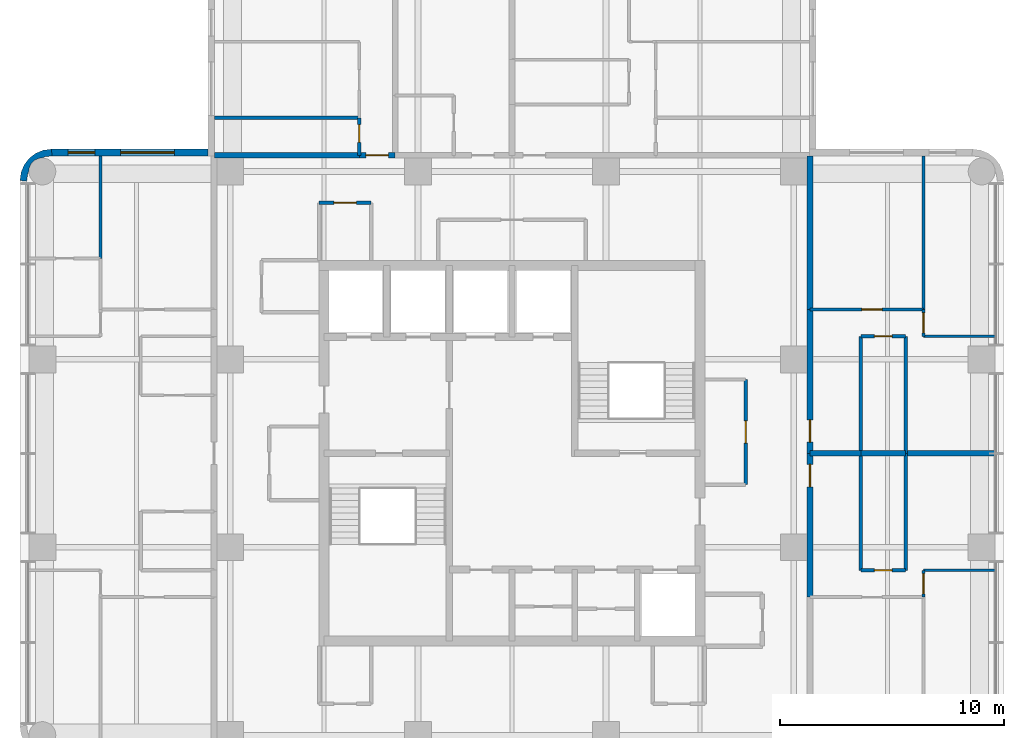
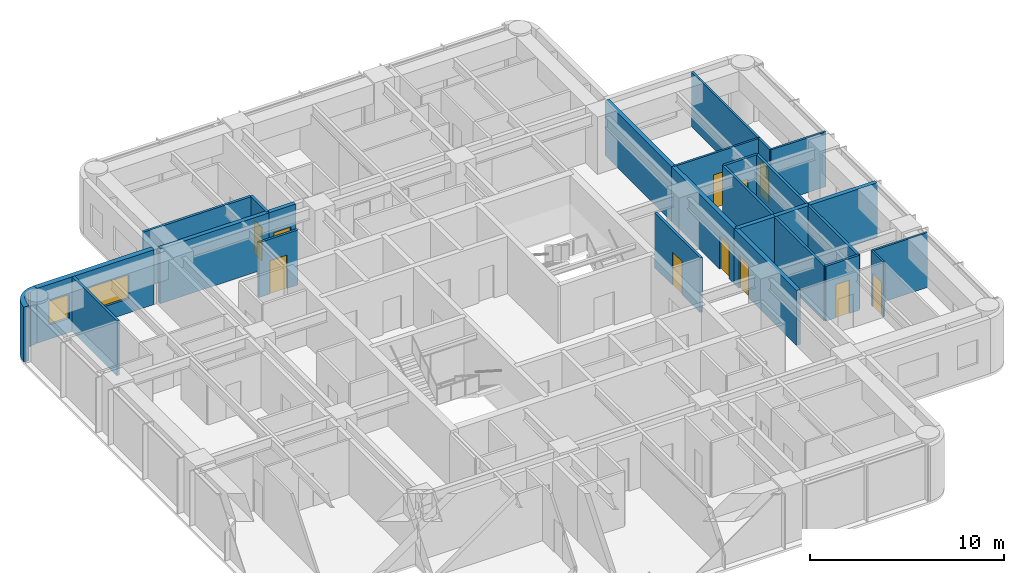
# One storey, part 7 of 10: 27 walls, 11 doors, 2 windows, 13 openings.
"""IFC4 building model written with IfcOpenShell, lengths in metres."""

from ifc_helpers import new_model, si_unit, direction, frame, frame_2d, origin, place, context, subcontext, project, spatial, polyline, rectangle, outline, extrude, material, layer, layer_set, type_object, element, fill, save


model = new_model("IFC4")

# Units and contexts
model_context = context("Model", 3, precision=1e-05, world=origin(), true_north=direction((0.0, 1.0)))
body_context = subcontext(model_context, "Body", "Model", "MODEL_VIEW")
ifc_project = project(units=[si_unit("LENGTHUNIT", "METRE"), si_unit("AREAUNIT", "SQUARE_METRE"), si_unit("VOLUMEUNIT", "CUBIC_METRE"), si_unit("PLANEANGLEUNIT", "RADIAN"), si_unit("MASSUNIT", "GRAM", prefix="KILO")], contexts=[model_context])

# Site, building, storey
site_placement = place(None, origin())
site = spatial("IfcSite", under=ifc_project, at=site_placement, CompositionType="ELEMENT")
building_placement = place(site_placement, origin())
building = spatial("IfcBuilding", under=site, at=building_placement, Name="Torre Alcanfor", CompositionType="ELEMENT")
storey_placement = place(building_placement, frame((0.0, 0.0, 275.699951171875)))
storey = spatial("IfcBuildingStorey", under=building, at=storey_placement, Name="L72", CompositionType="ELEMENT", Elevation=275.699951171875)

# Wall, opening, door
ifc_material_1 = material(Name="Concrete block masonry, hollow blocks NMX-C-404 9 MPa", Category="masonry")
ifc_layer_1 = layer(ifc_material_1, 0.25)
ifc_layer_set_1 = layer_set([ifc_layer_1], Name="Apartment entrance wall 250 EI 60")
wall_type_1 = type_object("IfcWallType", Name="Apartment entrance wall 250 EI 60", PredefinedType="PARTITIONING", material=ifc_layer_set_1)
wall_1_placement = place(storey_placement, frame((22.571044921875, 42.72509765625, 0.0), z_axis=(0.0, 0.0, 1.0), x_axis=(1.0, 0.0, 0.0)))
wall_1 = element("IfcWall", 1, at=wall_1_placement, inside=storey, type_object=wall_type_1, Name="Partition L72-CORR / L72-N1B-LIVING", PredefinedType="PARTITIONING", context=body_context, shape_type="SweptSolid", body=[
    extrude(rectangle(XDim=1.599853515625, YDim=0.25, at=frame_2d((0.7998046875, 0.0))), origin(), (0.0, 0.0, 1.0), 3.449951171875),
])
opening_1_placement = place(wall_1_placement, frame((0.300048828125, 0.0, 0.0)))
opening_1 = element("IfcOpeningElement", 2, at=opening_1_placement, cuts=wall_1, Name="Opening D-A1", PredefinedType="OPENING", context=body_context, shape_type="SweptSolid", body=[
    extrude(rectangle(XDim=1.0, YDim=2.10009765625, at=frame_2d((0.5, 1.050048828125))), frame((0.0, 0.135009765625, 0.0), z_axis=(0.0, -1.0, 0.0), x_axis=(1.0, 0.0, 0.0)), (0.0, 0.0, 1.0), 0.27001953125),
])
ifc_material_2 = material(Name="Galvanised steel sheet ASTM A653", Category="steel")
door_type_1 = type_object("IfcDoorType", Name="Apartment entrance door FD60 1000x2100", OperationType="SINGLE_SWING_LEFT", PredefinedType="DOOR", material=ifc_material_2)
door_1_placement = place(opening_1_placement, origin())
door_1 = element("IfcDoor", 3, at=door_1_placement, inside=storey, type_object=door_type_1, Name="Apartment entrance L72-N1B", OperationType="SINGLE_SWING_LEFT", OverallHeight=2.10009765625, OverallWidth=1.0, PredefinedType="DOOR", context=body_context, shape_type="SweptSolid", body=[
    extrude(rectangle(XDim=1.0, YDim=2.10009765625, at=frame_2d((0.5, 1.050048828125))), frame((0.0, 0.02490234375, 0.0), z_axis=(0.0, -1.0, 0.0), x_axis=(1.0, 0.0, 0.0)), (0.0, 0.0, 1.0), 0.050048828125),
])
fill(opening_1, door_1)

# Wall
wall_2_placement = place(storey_placement, frame((16.10009765625, 42.72509765625, 0.0), z_axis=(0.0, 0.0, 1.0), x_axis=(1.0, 0.0, 0.0)))
element("IfcWall", 4, at=wall_2_placement, inside=storey, type_object=wall_type_1, Name="Partition L72-CORR / L72-N1B-BATH", PredefinedType="PARTITIONING", context=body_context, shape_type="SweptSolid", body=[
    extrude(rectangle(XDim=6.470947265625, YDim=0.25, at=frame_2d((3.2353515625, 0.0))), origin(), (0.0, 0.0, 1.0), 3.449951171875),
])

# Wall, opening, door
wall_3_placement = place(storey_placement, frame((42.72509765625, 35.8291015625, 0.0), z_axis=(0.0, 0.0, 1.0), x_axis=(0.0, -1.0, 0.0)))
wall_3 = element("IfcWall", 5, at=wall_3_placement, inside=storey, type_object=wall_type_1, Name="Partition L72-CORR / L72-E1-LIVING", PredefinedType="PARTITIONING", context=body_context, shape_type="SweptSolid", body=[
    extrude(rectangle(XDim=6.42919921875, YDim=0.25, at=frame_2d((3.214599609375, 0.0))), origin(), (0.0, 0.0, 1.0), 3.449951171875),
])
opening_2_placement = place(wall_3_placement, frame((4.928955078125, 0.0, 0.0)))
opening_2 = element("IfcOpeningElement", 6, at=opening_2_placement, cuts=wall_3, Name="Opening D-A1", PredefinedType="OPENING", context=body_context, shape_type="SweptSolid", body=[
    extrude(rectangle(XDim=1.0, YDim=2.10009765625, at=frame_2d((0.5, 1.050048828125))), frame((0.0, 0.135009765625, 0.0), z_axis=(0.0, -1.0, 0.0), x_axis=(1.0, 0.0, 0.0)), (0.0, 0.0, 1.0), 0.27001953125),
])
door_2_placement = place(opening_2_placement, origin())
door_2 = element("IfcDoor", 7, at=door_2_placement, inside=storey, type_object=door_type_1, Name="Apartment entrance L72-E1", OperationType="SINGLE_SWING_RIGHT", OverallHeight=2.10009765625, OverallWidth=1.0, PredefinedType="DOOR", context=body_context, shape_type="SweptSolid", body=[
    extrude(rectangle(XDim=1.0, YDim=2.10009765625, at=frame_2d((0.5, 1.050048828125))), frame((0.0, 0.02490234375, 0.0), z_axis=(0.0, -1.0, 0.0), x_axis=(1.0, 0.0, 0.0)), (0.0, 0.0, 1.0), 0.050048828125),
])
fill(opening_2, door_2)

# Wall
wall_4_placement = place(storey_placement, frame((42.72509765625, 42.699951171875, 0.0), z_axis=(0.0, 0.0, 1.0), x_axis=(0.0, -1.0, 0.0)))
element("IfcWall", 8, at=wall_4_placement, inside=storey, type_object=wall_type_1, Name="Partition L72-CORR / L72-E1-BED2", PredefinedType="PARTITIONING", context=body_context, shape_type="SweptSolid", body=[
    extrude(rectangle(XDim=6.870849609375, YDim=0.25, at=frame_2d((3.435546875, 0.0))), origin(), (0.0, 0.0, 1.0), 3.449951171875),
])

# Wall, opening, door
wall_5_placement = place(storey_placement, frame((42.72509765625, 29.39990234375, 0.0), z_axis=(0.0, 0.0, 1.0), x_axis=(0.0, -1.0, 0.0)))
wall_5 = element("IfcWall", 9, at=wall_5_placement, inside=storey, type_object=wall_type_1, Name="Partition L72-CORR / L72-E2-LIVING", PredefinedType="PARTITIONING", context=body_context, shape_type="SweptSolid", body=[
    extrude(rectangle(XDim=6.428955078125, YDim=0.25, at=frame_2d((3.21435546875, 0.0))), origin(), (0.0, 0.0, 1.0), 3.449951171875),
])
opening_3_placement = place(wall_5_placement, frame((0.5, 0.0, 0.0)))
opening_3 = element("IfcOpeningElement", 10, at=opening_3_placement, cuts=wall_5, Name="Opening D-A1", PredefinedType="OPENING", context=body_context, shape_type="SweptSolid", body=[
    extrude(rectangle(XDim=1.0, YDim=2.10009765625, at=frame_2d((0.5, 1.050048828125))), frame((0.0, 0.135009765625, 0.0), z_axis=(0.0, -1.0, 0.0), x_axis=(1.0, 0.0, 0.0)), (0.0, 0.0, 1.0), 0.27001953125),
])
door_3_placement = place(opening_3_placement, origin())
door_3 = element("IfcDoor", 11, at=door_3_placement, inside=storey, type_object=door_type_1, Name="Apartment entrance L72-E2", OperationType="SINGLE_SWING_LEFT", OverallHeight=2.10009765625, OverallWidth=1.0, PredefinedType="DOOR", context=body_context, shape_type="SweptSolid", body=[
    extrude(rectangle(XDim=1.0, YDim=2.10009765625, at=frame_2d((0.5, 1.050048828125))), frame((0.0, 0.02490234375, 0.0), z_axis=(0.0, -1.0, 0.0), x_axis=(1.0, 0.0, 0.0)), (0.0, 0.0, 1.0), 0.050048828125),
])
fill(opening_3, door_3)

ifc_material_3 = material(Name="Gypsum board on steel studs", Category="steel")
ifc_layer_2 = layer(ifc_material_3, 0.1201171875)
ifc_layer_set_2 = layer_set([ifc_layer_2], Name="Apartment partition 120")
wall_type_2 = type_object("IfcWallType", Name="Apartment partition 120", PredefinedType="PARTITIONING", material=ifc_layer_set_2)
wall_6_placement = place(storey_placement, frame((42.72509765625, 35.8291015625, 0.0), z_axis=(0.0, 0.0, 1.0), x_axis=(1.0, 0.0, 0.0)))
wall_6 = element("IfcWall", 12, at=wall_6_placement, inside=storey, type_object=wall_type_2, Name="Partition L72-E1-LIVING / L72-E1-BED2", PredefinedType="PARTITIONING", context=body_context, shape_type="SweptSolid", body=[
    extrude(rectangle(XDim=5.074951171875, YDim=0.1201171875, at=frame_2d((2.53759765625, 0.0))), origin(), (0.0, 0.0, 1.0), 3.449951171875),
])
opening_4_placement = place(wall_6_placement, frame((2.324951171875, 0.0, 0.0)))
opening_4 = element("IfcOpeningElement", 13, at=opening_4_placement, cuts=wall_6, Name="Opening D-R1", PredefinedType="OPENING", context=body_context, shape_type="SweptSolid", body=[
    extrude(rectangle(XDim=0.89990234375, YDim=2.10009765625, at=frame_2d((0.449951171875, 1.050048828125))), frame((0.0, 0.070068359375, 0.0), z_axis=(0.0, -1.0, 0.0), x_axis=(1.0, 0.0, 0.0)), (0.0, 0.0, 1.0), 0.14013671875),
])
ifc_material_4 = material(Name="Timber", Category="wood")
door_type_2 = type_object("IfcDoorType", Name="Internal door 900x2100", OperationType="SINGLE_SWING_LEFT", PredefinedType="DOOR", material=ifc_material_4)
door_4_placement = place(opening_4_placement, origin())
door_4 = element("IfcDoor", 14, at=door_4_placement, inside=storey, type_object=door_type_2, Name="Door L72-E1 bed2", OperationType="SINGLE_SWING_RIGHT", OverallHeight=2.10009765625, OverallWidth=0.89990234375, PredefinedType="DOOR", context=body_context, shape_type="SweptSolid", body=[
    extrude(rectangle(XDim=0.89990234375, YDim=2.10009765625, at=frame_2d((0.449951171875, 1.050048828125))), frame((0.0, 0.02490234375, 0.0), z_axis=(0.0, -1.0, 0.0), x_axis=(1.0, 0.0, 0.0)), (0.0, 0.0, 1.0), 0.050048828125),
])
fill(opening_4, door_4)

wall_7_placement = place(storey_placement, frame((47.800048828125, 35.8291015625, 0.0), z_axis=(0.0, 0.0, 1.0), x_axis=(0.0, -1.0, 0.0)))
wall_7 = element("IfcWall", 15, at=wall_7_placement, inside=storey, type_object=wall_type_2, Name="Partition L72-E1-LIVING / L72-E1-MASTER", PredefinedType="PARTITIONING", context=body_context, shape_type="SweptSolid", body=[
    extrude(rectangle(XDim=1.2001953125, YDim=0.1201171875, at=frame_2d((0.60009765625, 0.0))), origin(), (0.0, 0.0, 1.0), 3.449951171875),
])
opening_5_placement = place(wall_7_placement, frame((0.14892578125, 0.0, 0.0)))
opening_5 = element("IfcOpeningElement", 16, at=opening_5_placement, cuts=wall_7, Name="Opening D-R1", PredefinedType="OPENING", context=body_context, shape_type="SweptSolid", body=[
    extrude(rectangle(XDim=0.89990234375, YDim=2.10009765625, at=frame_2d((0.449951171875, 1.050048828125))), frame((0.0, 0.070068359375, 0.0), z_axis=(0.0, -1.0, 0.0), x_axis=(1.0, 0.0, 0.0)), (0.0, 0.0, 1.0), 0.14013671875),
])
door_5_placement = place(opening_5_placement, origin())
door_5 = element("IfcDoor", 17, at=door_5_placement, inside=storey, type_object=door_type_2, Name="Door L72-E1 master", OperationType="SINGLE_SWING_RIGHT", OverallHeight=2.10009765625, OverallWidth=0.89990234375, PredefinedType="DOOR", context=body_context, shape_type="SweptSolid", body=[
    extrude(rectangle(XDim=0.89990234375, YDim=2.10009765625, at=frame_2d((0.449951171875, 1.050048828125))), frame((0.0, 0.02490234375, 0.0), z_axis=(0.0, -1.0, 0.0), x_axis=(1.0, 0.0, 0.0)), (0.0, 0.0, 1.0), 0.050048828125),
])
fill(opening_5, door_5)

# Walls
wall_8_placement = place(storey_placement, frame((47.800048828125, 34.62890625, 0.0), z_axis=(0.0, 0.0, 1.0), x_axis=(1.0, 0.0, 0.0)))
element("IfcWall", 18, at=wall_8_placement, inside=storey, type_object=wall_type_2, Name="Partition L72-E1-LIVING / L72-E1-MASTER", PredefinedType="PARTITIONING", context=body_context, shape_type="SweptSolid", body=[
    extrude(rectangle(XDim=3.25, YDim=0.1201171875, at=frame_2d((1.625, 0.0))), origin(), (0.0, 0.0, 1.0), 3.449951171875),
])
wall_9_placement = place(storey_placement, frame((47.800048828125, 35.8291015625, 0.0), z_axis=(0.0, 0.0, 1.0), x_axis=(0.0, 1.0, 0.0)))
element("IfcWall", 19, at=wall_9_placement, inside=storey, type_object=wall_type_2, Name="Partition L72-E1-BED2 / L72-E1-MASTER", PredefinedType="PARTITIONING", context=body_context, shape_type="SweptSolid", body=[
    extrude(rectangle(XDim=6.870849609375, YDim=0.1201171875, at=frame_2d((3.435546875, 0.0))), origin(), (0.0, 0.0, 1.0), 3.449951171875),
])
wall_10_placement = place(storey_placement, frame((51.050048828125, 24.1708984375, 0.0), z_axis=(0.0, 0.0, 1.0), x_axis=(-1.0, 0.0, 0.0)))
element("IfcWall", 20, at=wall_10_placement, inside=storey, type_object=wall_type_2, Name="Partition L72-E2-LIVING / L72-E2-MASTER", PredefinedType="PARTITIONING", context=body_context, shape_type="SweptSolid", body=[
    extrude(rectangle(XDim=3.25, YDim=0.1201171875, at=frame_2d((1.625, 0.0))), origin(), (0.0, 0.0, 1.0), 3.449951171875),
])

# Wall, opening, door
wall_11_placement = place(storey_placement, frame((47.800048828125, 24.1708984375, 0.0), z_axis=(0.0, 0.0, 1.0), x_axis=(0.0, -1.0, 0.0)))
wall_11 = element("IfcWall", 21, at=wall_11_placement, inside=storey, type_object=wall_type_2, Name="Partition L72-E2-LIVING / L72-E2-MASTER", PredefinedType="PARTITIONING", context=body_context, shape_type="SweptSolid", body=[
    extrude(rectangle(XDim=1.199951171875, YDim=0.1201171875, at=frame_2d((0.60009765625, 0.0))), origin(), (0.0, 0.0, 1.0), 3.449951171875),
])
opening_6_placement = place(wall_11_placement, frame((0.15087890625, 0.0, 0.0)))
opening_6 = element("IfcOpeningElement", 22, at=opening_6_placement, cuts=wall_11, Name="Opening D-R1", PredefinedType="OPENING", context=body_context, shape_type="SweptSolid", body=[
    extrude(rectangle(XDim=0.89990234375, YDim=2.10009765625, at=frame_2d((0.449951171875, 1.050048828125))), frame((0.0, 0.070068359375, 0.0), z_axis=(0.0, -1.0, 0.0), x_axis=(1.0, 0.0, 0.0)), (0.0, 0.0, 1.0), 0.14013671875),
])
door_6_placement = place(opening_6_placement, origin())
door_6 = element("IfcDoor", 23, at=door_6_placement, inside=storey, type_object=door_type_2, Name="Door L72-E2 master", OperationType="SINGLE_SWING_LEFT", OverallHeight=2.10009765625, OverallWidth=0.89990234375, PredefinedType="DOOR", context=body_context, shape_type="SweptSolid", body=[
    extrude(rectangle(XDim=0.89990234375, YDim=2.10009765625, at=frame_2d((0.449951171875, 1.050048828125))), frame((0.0, 0.02490234375, 0.0), z_axis=(0.0, -1.0, 0.0), x_axis=(1.0, 0.0, 0.0)), (0.0, 0.0, 1.0), 0.050048828125),
])
fill(opening_6, door_6)

# Wall, openings, windows
ifc_material_5 = material(Name="Limestone cladding", Category="masonry")
ifc_layer_3 = layer(ifc_material_5, 0.0400390625, Name="Facing")
ifc_material_6 = material(Name="Ventilated air cavity")
ifc_layer_4 = layer(ifc_material_6, 0.02001953125, ventilated=True, Name="Ventilated joint")
ifc_material_7 = material(Name="Mineral wool insulation", Category="insulation")
ifc_layer_5 = layer(ifc_material_7, 0.10009765625, Name="Insulation")
ifc_material_8 = material(Name="Concrete f'c 35 MPa", Category="concrete")
ifc_layer_6 = layer(ifc_material_8, 0.139892578125, Name="Backing")
ifc_layer_set_3 = layer_set([ifc_layer_3, ifc_layer_4, ifc_layer_5, ifc_layer_6], Name="External wall stone-clad 300")
wall_type_3 = type_object("IfcWallType", Name="External wall stone-clad 300", PredefinedType="SOLIDWALL", material=ifc_layer_set_3)
wall_12_placement = place(storey_placement, frame((15.800048828125, 42.85009765625, 0.0), z_axis=(0.0, 0.0, 1.0), x_axis=(-1.0, 0.0, 0.0)))
wall_12 = element("IfcWall", 24, at=wall_12_placement, inside=storey, type_object=wall_type_3, Name="External wall L72 1", PredefinedType="SOLIDWALL", context=body_context, shape_type="SweptSolid", body=[
    extrude(rectangle(XDim=7.0, YDim=0.300048828125, at=frame_2d((3.5, 0.0))), origin(), (0.0, 0.0, 1.0), 3.449951171875),
])
opening_7_placement = place(wall_12_placement, frame((1.5, 0.0, 0.89990234375)))
opening_7 = element("IfcOpeningElement", 25, at=opening_7_placement, cuts=wall_12, Name="Opening W1", PredefinedType="OPENING", context=body_context, shape_type="SweptSolid", body=[
    extrude(rectangle(XDim=2.39990234375, YDim=1.5, at=frame_2d((1.199951171875, 0.75))), frame((0.0, 0.159912109375, 0.0), z_axis=(0.0, -1.0, 0.0), x_axis=(1.0, 0.0, 0.0)), (0.0, 0.0, 1.0), 0.320068359375),
])
opening_8_placement = place(wall_12_placement, frame((5.050048828125, 0.0, 0.89990234375)))
opening_8 = element("IfcOpeningElement", 26, at=opening_8_placement, cuts=wall_12, Name="Opening W4", PredefinedType="OPENING", context=body_context, shape_type="SweptSolid", body=[
    extrude(rectangle(XDim=1.199951171875, YDim=1.5, at=frame_2d((0.60009765625, 0.75))), frame((0.0, 0.159912109375, 0.0), z_axis=(0.0, -1.0, 0.0), x_axis=(1.0, 0.0, 0.0)), (0.0, 0.0, 1.0), 0.320068359375),
])
ifc_material_9 = material(Name="Aluminium frame with clear double glazing", Category="aluminium")
window_type_1 = type_object("IfcWindowType", Name="Window bedroom 1200x1500", PartitioningType="SINGLE_PANEL", PredefinedType="WINDOW", material=ifc_material_9)
window_1_placement = place(opening_8_placement, origin())
window_1 = element("IfcWindow", 27, at=window_1_placement, inside=storey, type_object=window_type_1, Name="Window W4 L72-W2", OverallHeight=1.5, OverallWidth=1.199951171875, PartitioningType="SINGLE_PANEL", PredefinedType="WINDOW", context=body_context, shape_type="SweptSolid", body=[
    extrude(rectangle(XDim=1.199951171875, YDim=1.5, at=frame_2d((0.60009765625, 0.75))), frame((0.0, 0.030029296875, 0.0), z_axis=(0.0, -1.0, 0.0), x_axis=(1.0, 0.0, 0.0)), (0.0, 0.0, 1.0), 0.06005859375),
])
fill(opening_8, window_1)
ifc_material_10 = material(Name="Aluminium frame with clear double glazing", Category="aluminium")
window_type_2 = type_object("IfcWindowType", Name="Window bedroom 2400x1500", PartitioningType="SINGLE_PANEL", PredefinedType="WINDOW", material=ifc_material_10)
window_2_placement = place(opening_7_placement, origin())
window_2 = element("IfcWindow", 28, at=window_2_placement, inside=storey, type_object=window_type_2, Name="Window W1 L72-W2", OverallHeight=1.5, OverallWidth=2.39990234375, PartitioningType="SINGLE_PANEL", PredefinedType="WINDOW", context=body_context, shape_type="SweptSolid", body=[
    extrude(rectangle(XDim=2.39990234375, YDim=1.5, at=frame_2d((1.199951171875, 0.75))), frame((0.0, 0.030029296875, 0.0), z_axis=(0.0, -1.0, 0.0), x_axis=(1.0, 0.0, 0.0)), (0.0, 0.0, 1.0), 0.06005859375),
])
fill(opening_7, window_2)

# Walls
ifc_material_11 = material(Name="Concrete block masonry, hollow blocks NMX-C-404 9 MPa", Category="masonry")
ifc_layer_7 = layer(ifc_material_11, 0.25)
ifc_layer_set_4 = layer_set([ifc_layer_7], Name="Party wall 250 EI 60")
wall_type_4 = type_object("IfcWallType", Name="Party wall 250 EI 60", PredefinedType="PARTITIONING", material=ifc_layer_set_4)
wall_13_placement = place(storey_placement, frame((45.0, 29.39990234375, 0.0), z_axis=(0.0, 0.0, 1.0), x_axis=(1.0, 0.0, 0.0)))
element("IfcWall", 29, at=wall_13_placement, inside=storey, type_object=wall_type_4, Name="Partition L72-E1-BATH / L72-E2-BATH", PredefinedType="PARTITIONING", context=body_context, shape_type="SweptSolid", body=[
    extrude(rectangle(XDim=2.0, YDim=0.25, at=frame_2d((1.0, 0.0))), origin(), (0.0, 0.0, 1.0), 3.449951171875),
])
wall_14_placement = place(storey_placement, frame((45.0, 29.39990234375, 0.0), z_axis=(0.0, 0.0, 1.0), x_axis=(-1.0, 0.0, 0.0)))
element("IfcWall", 30, at=wall_14_placement, inside=storey, type_object=wall_type_4, Name="Partition L72-E1-LIVING / L72-E2-LIVING", PredefinedType="PARTITIONING", context=body_context, shape_type="SweptSolid", body=[
    extrude(rectangle(XDim=2.27490234375, YDim=0.25, at=frame_2d((1.137451171875, 0.0))), origin(), (0.0, 0.0, 1.0), 3.449951171875),
])
wall_15_placement = place(storey_placement, frame((51.050048828125, 29.39990234375, 0.0), z_axis=(0.0, 0.0, 1.0), x_axis=(-1.0, 0.0, 0.0)))
element("IfcWall", 31, at=wall_15_placement, inside=storey, type_object=wall_type_4, Name="Partition L72-E1-LIVING / L72-E2-LIVING", PredefinedType="PARTITIONING", context=body_context, shape_type="SweptSolid", body=[
    extrude(rectangle(XDim=4.050048828125, YDim=0.25, at=frame_2d((2.02490234375, 0.0))), origin(), (0.0, 0.0, 1.0), 3.449951171875),
])

# Wall, opening, door
ifc_material_12 = material(Name="Concrete block masonry, hollow blocks NMX-C-404 9 MPa", Category="masonry")
ifc_layer_8 = layer(ifc_material_12, 0.14990234375)
ifc_layer_set_5 = layer_set([ifc_layer_8], Name="Residents' room partition 150")
wall_type_5 = type_object("IfcWallType", Name="Residents' room partition 150", PredefinedType="PARTITIONING", material=ifc_layer_set_5)
wall_16_placement = place(storey_placement, frame((23.10009765625, 40.60009765625, 0.0), z_axis=(0.0, 0.0, 1.0), x_axis=(-1.0, 0.0, 0.0)))
wall_16 = element("IfcWall", 32, at=wall_16_placement, inside=storey, type_object=wall_type_5, Name="Partition L72-CORR / L72-G01", PredefinedType="PARTITIONING", context=body_context, shape_type="SweptSolid", body=[
    extrude(rectangle(XDim=2.3251953125, YDim=0.14990234375, at=frame_2d((1.16259765625, 0.0))), origin(), (0.0, 0.0, 1.0), 3.449951171875),
])
opening_9_placement = place(wall_16_placement, frame((0.66259765625, 0.0, 0.0)))
opening_9 = element("IfcOpeningElement", 33, at=opening_9_placement, cuts=wall_16, Name="Opening D-M1", PredefinedType="OPENING", context=body_context, shape_type="SweptSolid", body=[
    extrude(rectangle(XDim=1.0, YDim=2.10009765625, at=frame_2d((0.5, 1.050048828125))), frame((0.0, 0.0849609375, 0.0), z_axis=(0.0, -1.0, 0.0), x_axis=(1.0, 0.0, 0.0)), (0.0, 0.0, 1.0), 0.169921875),
])
ifc_material_13 = material(Name="Timber", Category="wood")
door_type_3 = type_object("IfcDoorType", Name="Residents' room door 1000x2100", OperationType="SINGLE_SWING_LEFT", PredefinedType="DOOR", material=ifc_material_13)
door_7_placement = place(opening_9_placement, origin())
door_7 = element("IfcDoor", 34, at=door_7_placement, inside=storey, type_object=door_type_3, Name="Door L72-G01 parcel room", OperationType="SINGLE_SWING_LEFT", OverallHeight=2.10009765625, OverallWidth=1.0, PredefinedType="DOOR", context=body_context, shape_type="SweptSolid", body=[
    extrude(rectangle(XDim=1.0, YDim=2.10009765625, at=frame_2d((0.5, 1.050048828125))), frame((0.0, 0.02490234375, 0.0), z_axis=(0.0, -1.0, 0.0), x_axis=(1.0, 0.0, 0.0)), (0.0, 0.0, 1.0), 0.050048828125),
])
fill(opening_9, door_7)

wall_17_placement = place(storey_placement, frame((39.85009765625, 28.0, 0.0), z_axis=(0.0, 0.0, 1.0), x_axis=(0.0, 1.0, 0.0)))
wall_17 = element("IfcWall", 35, at=wall_17_placement, inside=storey, type_object=wall_type_5, Name="Partition L72-CORR / L72-G04", PredefinedType="PARTITIONING", context=body_context, shape_type="SweptSolid", body=[
    extrude(rectangle(XDim=4.699951171875, YDim=0.14990234375, at=frame_2d((2.35009765625, 0.0))), origin(), (0.0, 0.0, 1.0), 3.449951171875),
])
opening_10_placement = place(wall_17_placement, frame((1.85009765625, 0.0, 0.0)))
opening_10 = element("IfcOpeningElement", 36, at=opening_10_placement, cuts=wall_17, Name="Opening D-M1", PredefinedType="OPENING", context=body_context, shape_type="SweptSolid", body=[
    extrude(rectangle(XDim=1.0, YDim=2.10009765625, at=frame_2d((0.5, 1.050048828125))), frame((0.0, 0.0849609375, 0.0), z_axis=(0.0, -1.0, 0.0), x_axis=(1.0, 0.0, 0.0)), (0.0, 0.0, 1.0), 0.169921875),
])
door_8_placement = place(opening_10_placement, origin())
door_8 = element("IfcDoor", 37, at=door_8_placement, inside=storey, type_object=door_type_3, Name="Door L72-G04 linen store", OperationType="SINGLE_SWING_LEFT", OverallHeight=2.10009765625, OverallWidth=1.0, PredefinedType="DOOR", context=body_context, shape_type="SweptSolid", body=[
    extrude(rectangle(XDim=1.0, YDim=2.10009765625, at=frame_2d((0.5, 1.050048828125))), frame((0.0, 0.02490234375, 0.0), z_axis=(0.0, -1.0, 0.0), x_axis=(1.0, 0.0, 0.0)), (0.0, 0.0, 1.0), 0.050048828125),
])
fill(opening_10, door_8)

# Wall
ifc_layer_9 = layer(ifc_material_5, 0.0400390625, Name="Facing")
ifc_layer_10 = layer(ifc_material_6, 0.02001953125, ventilated=True, Name="Ventilated joint")
ifc_layer_11 = layer(ifc_material_7, 0.10009765625, Name="Insulation")
ifc_layer_12 = layer(ifc_material_8, 0.139892578125, Name="Backing")
ifc_layer_set_6 = layer_set([ifc_layer_9, ifc_layer_10, ifc_layer_11, ifc_layer_12], Name="Rounded corner pier stone-clad 300")
wall_type_6 = type_object("IfcWallType", Name="Rounded corner pier stone-clad 300", PredefinedType="SOLIDWALL", material=ifc_layer_set_6)
wall_18_placement = place(storey_placement, frame((8.761581746, 42.575898117, 0.0), z_axis=(0.0, 0.0, 1.0), x_axis=(-0.707106781187, 0.707106781187, 0.0)))
element("IfcWall", 38, at=wall_18_placement, inside=storey, type_object=wall_type_6, Name="Corner pier L72 13", PredefinedType="SOLIDWALL", context=body_context, shape_type="SweptSolid", body=[
    extrude(outline(polyline([(0.23297927971509194, 0.11416555226925892), (0.04670774238592084, -0.12872977027211618), (0.032551796082869844, -0.1428857165751672), (0.27268498276023495, -0.32708565200633083), (0.49520955330453675, -0.03723401977678656), (0.6350426814200405, 0.3004370895984301), (0.6826895250742122, 0.6629674217497361), (0.6350426814200405, 1.025152486918041), (0.49520955330453664, 1.3628235962932576), (0.27285761625173566, 1.6528478620143026), (0.032724429574370495, 1.468647926583139), (0.0467077423859209, 1.4546646137715884), (0.23315191320659262, 1.2115966577387127), (0.29219256729980525, 1.0690013937591991), (0.3577932940700416, 1.0034006669889626), (0.44946167805687187, 0.7826024313596671), (0.44946167805687187, 0.5433324121398051), (0.3579659275615422, 0.322361543019009), (0.29219256729980525, 0.256588182757272), (0.23297927971509194, 0.11416555226925892)])), origin(), (0.0, 0.0, 1.0), 3.449951171875),
])

# Wall, opening, door
ifc_material_14 = material(Name="Cement board on steel studs", Category="steel")
ifc_layer_13 = layer(ifc_material_14, 0.14990234375)
ifc_layer_set_7 = layer_set([ifc_layer_13], Name="Wet area partition 150")
wall_type_7 = type_object("IfcWallType", Name="Wet area partition 150", PredefinedType="PARTITIONING", material=ifc_layer_set_7)
wall_19_placement = place(storey_placement, frame((22.571044921875, 42.72509765625, 0.0), z_axis=(0.0, 0.0, 1.0), x_axis=(0.0, 1.0, 0.0)))
wall_19 = element("IfcWall", 39, at=wall_19_placement, inside=storey, type_object=wall_type_7, Name="Partition L72-N1B-LIVING / L72-N1B-BATH", PredefinedType="PARTITIONING", context=body_context, shape_type="SweptSolid", body=[
    extrude(rectangle(XDim=1.6748046875, YDim=0.14990234375, at=frame_2d((0.83740234375, 0.0))), origin(), (0.0, 0.0, 1.0), 3.449951171875),
])
opening_11_placement = place(wall_19_placement, frame((0.574951171875, 0.0, 0.0)))
opening_11 = element("IfcOpeningElement", 40, at=opening_11_placement, cuts=wall_19, Name="Opening D-R2", PredefinedType="OPENING", context=body_context, shape_type="SweptSolid", body=[
    extrude(rectangle(XDim=0.800048828125, YDim=2.10009765625, at=frame_2d((0.39990234375, 1.050048828125))), frame((0.0, 0.0849609375, 0.0), z_axis=(0.0, -1.0, 0.0), x_axis=(1.0, 0.0, 0.0)), (0.0, 0.0, 1.0), 0.169921875),
])
ifc_material_15 = material(Name="Timber", Category="wood")
door_type_4 = type_object("IfcDoorType", Name="Bathroom door 800x2100", OperationType="SINGLE_SWING_LEFT", PredefinedType="DOOR", material=ifc_material_15)
door_9_placement = place(opening_11_placement, origin())
door_9 = element("IfcDoor", 41, at=door_9_placement, inside=storey, type_object=door_type_4, Name="Door L72-N1B bath", OperationType="SINGLE_SWING_RIGHT", OverallHeight=2.10009765625, OverallWidth=0.800048828125, PredefinedType="DOOR", context=body_context, shape_type="SweptSolid", body=[
    extrude(rectangle(XDim=0.800048828125, YDim=2.10009765625, at=frame_2d((0.39990234375, 1.050048828125))), frame((0.0, 0.02490234375, 0.0), z_axis=(0.0, -1.0, 0.0), x_axis=(1.0, 0.0, 0.0)), (0.0, 0.0, 1.0), 0.050048828125),
])
fill(opening_11, door_9)

# Walls
wall_20_placement = place(storey_placement, frame((22.571044921875, 44.39990234375, 0.0), z_axis=(0.0, 0.0, 1.0), x_axis=(-1.0, 0.0, 0.0)))
element("IfcWall", 42, at=wall_20_placement, inside=storey, type_object=wall_type_7, Name="Partition L72-N1B-BATH / L72-N1B-MASTER", PredefinedType="PARTITIONING", context=body_context, shape_type="SweptSolid", body=[
    extrude(rectangle(XDim=6.470947265625, YDim=0.14990234375, at=frame_2d((3.2353515625, 0.0))), origin(), (0.0, 0.0, 1.0), 3.449951171875),
])
wall_21_placement = place(storey_placement, frame((47.0, 29.39990234375, 0.0), z_axis=(0.0, 0.0, 1.0), x_axis=(0.0, 1.0, 0.0)))
element("IfcWall", 43, at=wall_21_placement, inside=storey, type_object=wall_type_7, Name="Partition L72-E1-BATH / L72-E1-LIVING", PredefinedType="PARTITIONING", context=body_context, shape_type="SweptSolid", body=[
    extrude(rectangle(XDim=5.22900390625, YDim=0.14990234375, at=frame_2d((2.614501953125, 0.0))), origin(), (0.0, 0.0, 1.0), 3.449951171875),
])

# Wall, opening, door
wall_22_placement = place(storey_placement, frame((47.0, 34.62890625, 0.0), z_axis=(0.0, 0.0, 1.0), x_axis=(-1.0, 0.0, 0.0)))
wall_22 = element("IfcWall", 44, at=wall_22_placement, inside=storey, type_object=wall_type_7, Name="Partition L72-E1-BATH / L72-E1-LIVING", PredefinedType="PARTITIONING", context=body_context, shape_type="SweptSolid", body=[
    extrude(rectangle(XDim=2.0, YDim=0.14990234375, at=frame_2d((1.0, 0.0))), origin(), (0.0, 0.0, 1.0), 3.449951171875),
])
opening_12_placement = place(wall_22_placement, frame((0.60009765625, 0.0, 0.0)))
opening_12 = element("IfcOpeningElement", 45, at=opening_12_placement, cuts=wall_22, Name="Opening D-R2", PredefinedType="OPENING", context=body_context, shape_type="SweptSolid", body=[
    extrude(rectangle(XDim=0.800048828125, YDim=2.10009765625, at=frame_2d((0.39990234375, 1.050048828125))), frame((0.0, 0.0849609375, 0.0), z_axis=(0.0, -1.0, 0.0), x_axis=(1.0, 0.0, 0.0)), (0.0, 0.0, 1.0), 0.169921875),
])
door_10_placement = place(opening_12_placement, origin())
door_10 = element("IfcDoor", 46, at=door_10_placement, inside=storey, type_object=door_type_4, Name="Door L72-E1 bath", OperationType="SINGLE_SWING_LEFT", OverallHeight=2.10009765625, OverallWidth=0.800048828125, PredefinedType="DOOR", context=body_context, shape_type="SweptSolid", body=[
    extrude(rectangle(XDim=0.800048828125, YDim=2.10009765625, at=frame_2d((0.39990234375, 1.050048828125))), frame((0.0, 0.02490234375, 0.0), z_axis=(0.0, -1.0, 0.0), x_axis=(1.0, 0.0, 0.0)), (0.0, 0.0, 1.0), 0.050048828125),
])
fill(opening_12, door_10)

# Walls
for number, where, z_axis, x_axis, name in (
    (47, (45.0, 34.62890625, 0.0), (0.0, 0.0, 1.0), (0.0, -1.0, 0.0), "Partition L72-E1-BATH / L72-E1-LIVING"),
    (48, (47.0, 29.39990234375, 0.0), (0.0, 0.0, 1.0), (0.0, -1.0, 0.0), "Partition L72-E2-BATH / L72-E2-LIVING"),
):
    element("IfcWall", number, at=place(storey_placement, frame(where, z_axis=z_axis, x_axis=x_axis)), inside=storey, type_object=wall_type_7, Name=name, PredefinedType="PARTITIONING", context=body_context, shape_type="SweptSolid", body=[
        extrude(rectangle(XDim=5.22900390625, YDim=0.14990234375, at=frame_2d((2.614501953125, 0.0))), origin(), (0.0, 0.0, 1.0), 3.449951171875),
    ])

# Wall, opening, door
wall_23_placement = place(storey_placement, frame((47.0, 24.1708984375, 0.0), z_axis=(0.0, 0.0, 1.0), x_axis=(-1.0, 0.0, 0.0)))
wall_23 = element("IfcWall", 49, at=wall_23_placement, inside=storey, type_object=wall_type_7, Name="Partition L72-E2-BATH / L72-E2-LIVING", PredefinedType="PARTITIONING", context=body_context, shape_type="SweptSolid", body=[
    extrude(rectangle(XDim=2.0, YDim=0.14990234375, at=frame_2d((1.0, 0.0))), origin(), (0.0, 0.0, 1.0), 3.449951171875),
])
opening_13_placement = place(wall_23_placement, frame((0.60009765625, 0.0, 0.0)))
opening_13 = element("IfcOpeningElement", 50, at=opening_13_placement, cuts=wall_23, Name="Opening D-R2", PredefinedType="OPENING", context=body_context, shape_type="SweptSolid", body=[
    extrude(rectangle(XDim=0.800048828125, YDim=2.10009765625, at=frame_2d((0.39990234375, 1.050048828125))), frame((0.0, 0.0849609375, 0.0), z_axis=(0.0, -1.0, 0.0), x_axis=(1.0, 0.0, 0.0)), (0.0, 0.0, 1.0), 0.169921875),
])
door_11_placement = place(opening_13_placement, frame((0.800048828125, 0.0, 0.0), z_axis=(0.0, 0.0, 1.0), x_axis=(-1.0, 0.0, 0.0)))
door_11 = element("IfcDoor", 51, at=door_11_placement, inside=storey, type_object=door_type_4, Name="Door L72-E2 bath", OperationType="SINGLE_SWING_RIGHT", OverallHeight=2.10009765625, OverallWidth=0.800048828125, PredefinedType="DOOR", context=body_context, shape_type="SweptSolid", body=[
    extrude(rectangle(XDim=0.800048828125, YDim=2.10009765625, at=frame_2d((0.400146484375, 1.050048828125))), frame((0.0, 0.025146484375, 0.0), z_axis=(0.0, -1.0, 0.0), x_axis=(1.0, 0.0, 0.0)), (0.0, 0.0, 1.0), 0.050048828125),
])
fill(opening_13, door_11)

# Walls
wall_24_placement = place(storey_placement, frame((45.0, 24.1708984375, 0.0), z_axis=(0.0, 0.0, 1.0), x_axis=(0.0, 1.0, 0.0)))
element("IfcWall", 52, at=wall_24_placement, inside=storey, type_object=wall_type_7, Name="Partition L72-E2-BATH / L72-E2-LIVING", PredefinedType="PARTITIONING", context=body_context, shape_type="SweptSolid", body=[
    extrude(rectangle(XDim=5.22900390625, YDim=0.14990234375, at=frame_2d((2.614501953125, 0.0))), origin(), (0.0, 0.0, 1.0), 3.449951171875),
])
wall_25_placement = place(storey_placement, frame((11.0, 42.699951171875, 0.0), z_axis=(0.0, 0.0, 1.0), x_axis=(0.0, -1.0, 0.0)))
element("IfcWall", 53, at=wall_25_placement, inside=storey, type_object=wall_type_7, Name="Partition L72-WX-BED3 / L72-WX-BATH1", PredefinedType="PARTITIONING", context=body_context, shape_type="SweptSolid", body=[
    extrude(rectangle(XDim=4.5859375, YDim=0.14990234375, at=frame_2d((2.29296875, 0.0))), origin(), (0.0, 0.0, 1.0), 3.449951171875),
])

save(model, "model.ifc")
